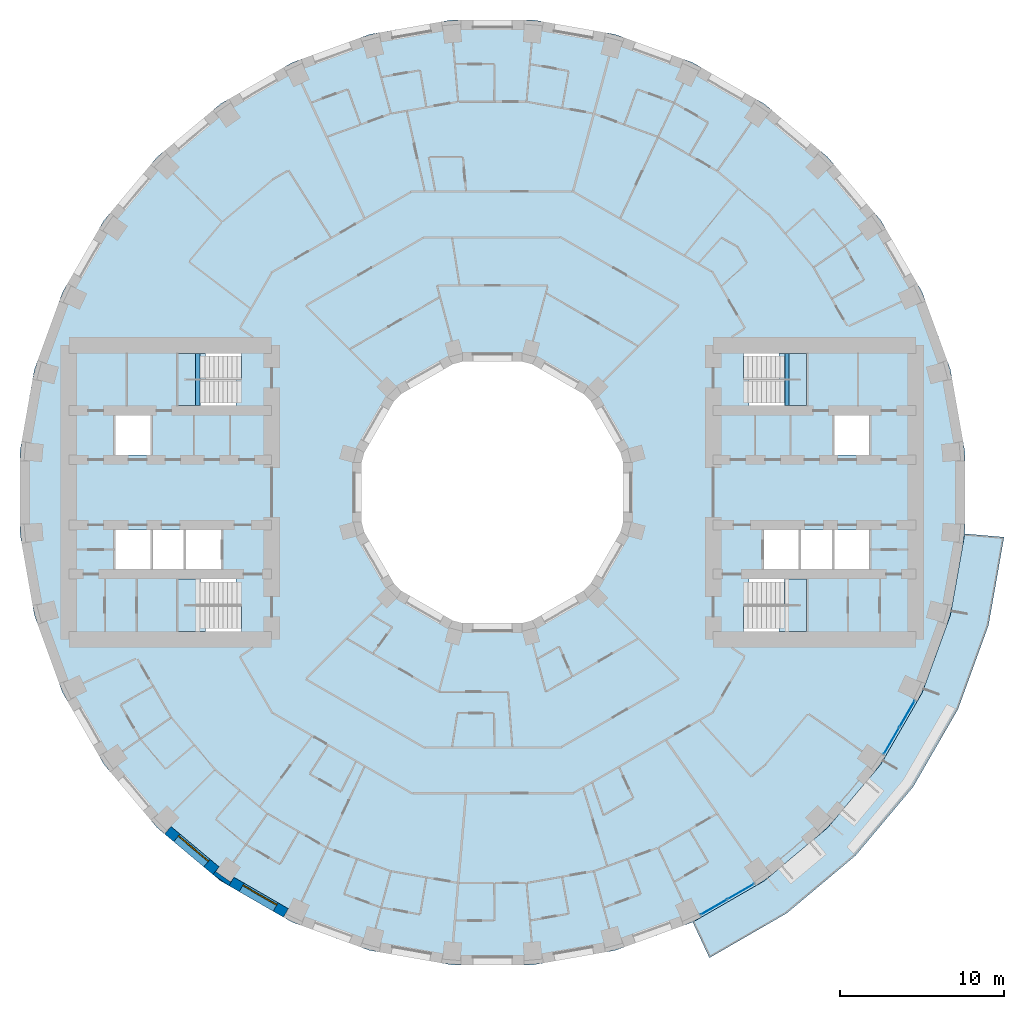
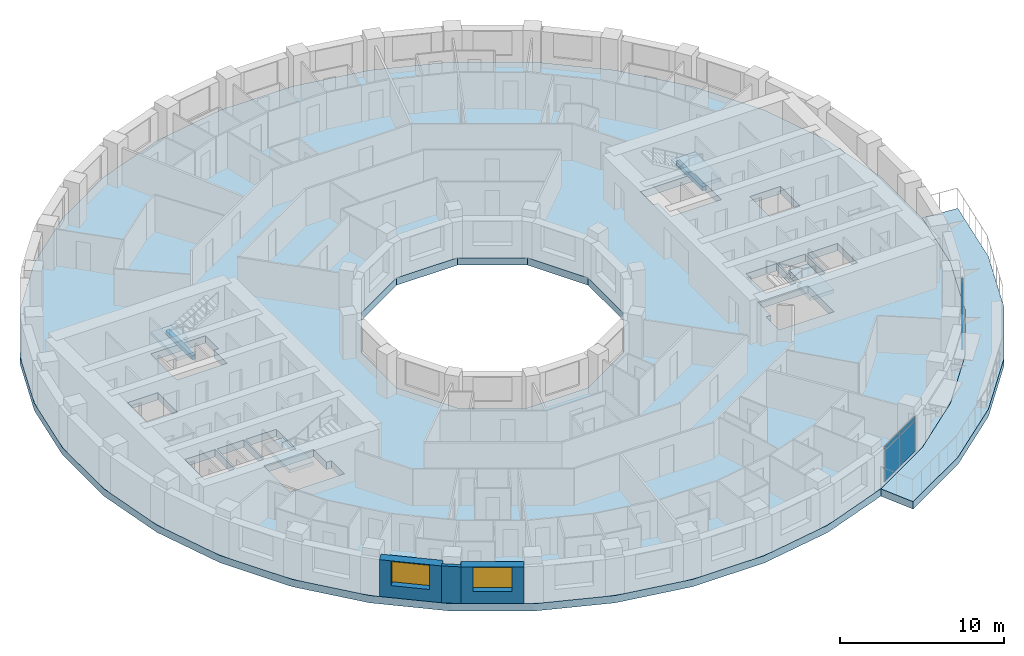
# One storey, part 3 of 15: 8 plates, 6 slabs, 3 walls, 2 beams, 2 windows, 2 openings, 6 elements without a shape of their own.
"""IFC4 building model written with IfcOpenShell, lengths in metres."""

import ifcopenshell
import ifcopenshell.guid

model = None  # the IFC model being written
_history = None  # IfcOwnerHistory: only IFC2X3 demands one
_inside = {}  # id of a spatial element -> (the spatial element, [elements in it])
_under = {}  # id of a project, library or spatial element -> (it, [spatial elements below it])
_declared = {}  # id of a project -> (the project, [libraries it declares])
_typed = {}  # id of a type object -> (the type object, [elements of that type])
_made_of = {}  # id of a material, layer set ... -> (it, [elements and type objects made of it])


def new_model(schema):
    """Start an empty IFC model of exactly this schema.

    Asked for "IFC4X3", IfcOpenShell would pick the latest addendum, in which some entities
    have other attributes; the version numbers below select the first issue.
    IFC2X3 requires an IfcOwnerHistory on every rooted entity: one is made here for all.
    """
    global model, _history
    if schema == "IFC4X3":
        model = ifcopenshell.file(schema_version=(4, 3, 0, 0))
    else:
        model = ifcopenshell.file(schema=schema)
    _inside.clear()
    _under.clear()
    _declared.clear()
    _typed.clear()
    _made_of.clear()
    _history = None
    if model.schema == "IFC2X3":
        org = make("IfcOrganization", Name="unknown")
        user = make(
            "IfcPersonAndOrganization",
            ThePerson=make("IfcPerson", FamilyName="unknown"),
            TheOrganization=org,
        )
        app = make(
            "IfcApplication",
            ApplicationDeveloper=org,
            Version="unknown",
            ApplicationFullName="unknown",
            ApplicationIdentifier="unknown",
        )
        _history = make(
            "IfcOwnerHistory",
            OwningUser=user,
            OwningApplication=app,
            ChangeAction="ADDED",
            CreationDate=0,
        )
    return model


def make(cls, **values):
    """One entity of the class cls with the attributes given. An attribute that is None is left unset."""
    return model.create_entity(
        cls, **{name: value for name, value in values.items() if value is not None}
    )


def rooted(cls, **values):
    """An entity with a GlobalId (a new one), such as an element, a storey or a relation."""
    return make(cls, GlobalId=ifcopenshell.guid.new(), OwnerHistory=_history, **values)


def si_unit(unit_type, name, prefix=None):
    """IfcSIUnit, for example si_unit("LENGTHUNIT", "METRE", prefix="MILLI")."""
    return make("IfcSIUnit", UnitType=unit_type, Prefix=prefix, Name=name)


def assignment(units):
    """IfcUnitAssignment: the units of a project."""
    return None if units is None else make("IfcUnitAssignment", Units=units)


def point(xyz):
    """IfcCartesianPoint."""
    return None if xyz is None else make("IfcCartesianPoint", Coordinates=xyz)


def direction(xyz):
    """IfcDirection."""
    return None if xyz is None else make("IfcDirection", DirectionRatios=xyz)


def frame(location, z_axis=None, x_axis=None):
    """IfcAxis2Placement3D, a coordinate frame: its origin and axes. An axis left out is left unset."""
    return make(
        "IfcAxis2Placement3D",
        Location=point(location),
        Axis=direction(z_axis),
        RefDirection=direction(x_axis),
    )


def frame_2d(location, x_axis=None):
    """IfcAxis2Placement2D, a coordinate frame in the plane: its origin and x axis."""
    return make(
        "IfcAxis2Placement2D", Location=point(location), RefDirection=direction(x_axis)
    )


def origin():
    """The frame at (0, 0, 0) with its axes left unset."""
    return frame((0.0, 0.0, 0.0))


def origin_2d():
    """The frame at (0, 0) in the plane with its x axis left unset."""
    return frame_2d((0.0, 0.0))


def place(relative_to, where):
    """IfcLocalPlacement: puts the frame where relative to a parent placement (None: the world)."""
    return make(
        "IfcLocalPlacement", PlacementRelTo=relative_to, RelativePlacement=where
    )


def context(
    kind, dimensions, precision=None, world=None, true_north=None, identifier=None
):
    """IfcGeometricRepresentationContext, for example the 3D "Model" context."""
    return make(
        "IfcGeometricRepresentationContext",
        ContextIdentifier=identifier,
        ContextType=kind,
        CoordinateSpaceDimension=dimensions,
        Precision=precision,
        WorldCoordinateSystem=world,
        TrueNorth=true_north,
    )


def subcontext(parent, identifier, kind, view, scale=None):
    """IfcGeometricRepresentationSubContext, for example "Body" below "Model"."""
    return make(
        "IfcGeometricRepresentationSubContext",
        ContextIdentifier=identifier,
        ContextType=kind,
        ParentContext=parent,
        TargetScale=scale,
        TargetView=view,
    )


def project(units=None, contexts=None):
    """IfcProject with its units and contexts."""
    return rooted(
        "IfcProject",
        Name="project",
        RepresentationContexts=contexts,
        UnitsInContext=assignment(units),
    )


def spatial(cls, under=None, at=None, **own):
    """A site, building, storey or space (cls), placed at a placement, below another one or the project."""
    s = rooted(cls, ObjectPlacement=at, **own)
    if under is not None:
        _under.setdefault(under.id(), (under, []))[1].append(s)
    return s


def polyline(points):
    """IfcPolyline through the points."""
    return make("IfcPolyline", Points=[point(p) for p in points])


def profile(cls, at=None, kind="AREA", **sizes):
    """A parametric profile (cls). Its sizes go by their IFC names, for example OverallWidth=200.0."""
    return make(cls, ProfileType=kind, Position=at, **sizes)


def rectangle(**sizes):
    """IfcRectangleProfileDef."""
    return profile("IfcRectangleProfileDef", **sizes)


def outline(outer, holes=None, kind="AREA"):
    """IfcArbitraryClosedProfileDef: a profile drawn as a closed curve; with holes, ...WithVoids."""
    if holes is None:
        return make("IfcArbitraryClosedProfileDef", ProfileType=kind, OuterCurve=outer)
    return make(
        "IfcArbitraryProfileDefWithVoids",
        ProfileType=kind,
        OuterCurve=outer,
        InnerCurves=holes,
    )


def extrude(swept, where, along, depth):
    """IfcExtrudedAreaSolid: the profile swept, set in the frame where, extruded along a direction by depth."""
    return make(
        "IfcExtrudedAreaSolid",
        SweptArea=swept,
        Position=where,
        ExtrudedDirection=direction(along),
        Depth=depth,
    )


def shape(context_of_items, identifier, shape_type, items):
    """IfcShapeRepresentation: the items that make up one representation, for example the "Body"."""
    return make(
        "IfcShapeRepresentation",
        ContextOfItems=context_of_items,
        RepresentationIdentifier=identifier,
        RepresentationType=shape_type,
        Items=items,
    )


def material(Name=None, Category=None):
    """IfcMaterial."""
    return make("IfcMaterial", Name=Name, Category=Category)


def layer(
    of_material, thickness, ventilated=None, Name=None, Category=None, Priority=None
):
    """IfcMaterialLayer: one layer of a wall or slab, of a material (None: an air gap)."""
    return make(
        "IfcMaterialLayer",
        Material=of_material,
        LayerThickness=thickness,
        IsVentilated=ventilated,
        Name=Name,
        Category=Category,
        Priority=Priority,
    )


def layer_set(layers, Name=None):
    """IfcMaterialLayerSet."""
    return make("IfcMaterialLayerSet", MaterialLayers=layers, LayerSetName=Name)


def material_profile(
    of_material, cross_section, Name=None, Category=None, Priority=None
):
    """IfcMaterialProfile: a cross section and its material."""
    return make(
        "IfcMaterialProfile",
        Name=Name,
        Material=of_material,
        Profile=cross_section,
        Priority=Priority,
        Category=Category,
    )


def profile_set(profiles, Name=None, composite=None):
    """IfcMaterialProfileSet."""
    return make(
        "IfcMaterialProfileSet",
        Name=Name,
        MaterialProfiles=profiles,
        CompositeProfile=composite,
    )


def made_of(thing, what):
    """Note that an element or type object is made of a material, layer set ...; save() writes the relation."""
    if what is not None:
        _made_of.setdefault(what.id(), (what, []))[1].append(thing)
    return thing


def type_object(cls, material=None, **own):
    """A type object (cls), such as IfcWallType, which elements share."""
    return made_of(rooted(cls, **own), material)


def element(
    cls,
    number,
    at=None,
    inside=None,
    cuts=None,
    type_object=None,
    material=None,
    context=None,
    identifier="Body",
    shape_type=None,
    held_by="IfcProductDefinitionShape",
    body=None,
    shapes=None,
    **own,
):
    """One element of the class cls, such as IfcWall. Its Tag is "e" and its number.

    at: its placement. inside: the storey or other place that contains it. cuts: it is an
    opening in that element (IfcRelVoidsElement). A single representation is given by context,
    identifier, shape_type and body (its items); several are given by shapes. held_by: the class
    of the entity that holds the representations. save() writes the other relations.
    """
    e = rooted(cls, Tag="e%d" % number, ObjectPlacement=at, **own)
    if body is not None:
        shapes = [shape(context, identifier, shape_type, body)]
    if shapes is not None:
        e.Representation = make(held_by, Representations=shapes)
    if inside is not None:
        _inside.setdefault(inside.id(), (inside, []))[1].append(e)
    if cuts is not None:
        rooted(
            "IfcRelVoidsElement", RelatingBuildingElement=cuts, RelatedOpeningElement=e
        )
    if type_object is not None:
        _typed.setdefault(type_object.id(), (type_object, []))[1].append(e)
    return made_of(e, material)


def fill(opening, filler):
    """IfcRelFillsElement: the door or window that sits in an opening."""
    return rooted(
        "IfcRelFillsElement",
        RelatingOpeningElement=opening,
        RelatedBuildingElement=filler,
    )


def aggregate(whole, parts):
    """IfcRelAggregates: a whole, such as a stair, and the parts it consists of."""
    return rooted("IfcRelAggregates", RelatingObject=whole, RelatedObjects=parts)


def save(model, path):
    """Write the relations noted so far, then the file.

    IfcRelAggregates (storeys below a building ...), IfcRelContainedInSpatialStructure (elements
    in a storey), IfcRelDefinesByType, IfcRelAssociatesMaterial and IfcRelDeclares: one each for
    every whole, place, type object, material and project.
    """
    for whole, parts in _under.values():
        aggregate(whole, parts)
    for where, things in _inside.values():
        rooted(
            "IfcRelContainedInSpatialStructure",
            RelatedElements=things,
            RelatingStructure=where,
        )
    for kind, things in _typed.values():
        rooted("IfcRelDefinesByType", RelatedObjects=things, RelatingType=kind)
    for what, things in _made_of.values():
        rooted("IfcRelAssociatesMaterial", RelatedObjects=things, RelatingMaterial=what)
    for by, libraries in _declared.values():
        rooted("IfcRelDeclares", RelatingContext=by, RelatedDefinitions=libraries)
    model.write(path)


model = new_model("IFC4")

# Units and contexts
model_context = context("Model", 3, precision=1e-05, world=origin(), true_north=direction((0.0, 1.0)))
body_context = subcontext(model_context, "Body", "Model", "MODEL_VIEW")
ifc_project = project(units=[si_unit("LENGTHUNIT", "METRE"), si_unit("AREAUNIT", "SQUARE_METRE"), si_unit("VOLUMEUNIT", "CUBIC_METRE"), si_unit("PLANEANGLEUNIT", "RADIAN"), si_unit("MASSUNIT", "GRAM", prefix="KILO")], contexts=[model_context])

# Site, building, storey
site_placement = place(None, origin())
site = spatial("IfcSite", under=ifc_project, at=site_placement, CompositionType="ELEMENT")
building_placement = place(site_placement, origin())
building = spatial("IfcBuilding", under=site, at=building_placement, Name="Saqina Gate Tower", CompositionType="ELEMENT")
storey_placement = place(building_placement, frame((0.0, 0.0, 39.5)))
storey = spatial("IfcBuildingStorey", under=building, at=storey_placement, Name="L10", CompositionType="ELEMENT", Elevation=39.5)

# Beams
ifc_material_1 = material(Name="Concrete C40/50", Category="concrete")
ifc_material_profile = material_profile(ifc_material_1, rectangle(XDim=0.25, YDim=0.300048828125, at=origin_2d()), Name="STAIR LANDING BEAM")
ifc_profile_set = profile_set([ifc_material_profile], Name="Concrete C40/50")
beam_type = type_object("IfcBeamType", Name="STAIR LANDING BEAM", PredefinedType="BEAM", material=ifc_profile_set)
for number, where, z_axis, x_axis, name in (
    (1, (18.02001953125, 5.300048828125, 1.25), (0.0, 1.0, 0.0), (-1.0, 0.0, 0.0), "EXIT STAIR 1 LANDING BEAM"),
    (2, (-18.02001953125, 5.300048828125, 1.25), (0.0, 1.0, 0.0), (-1.0, 0.0, 0.0), "EXIT STAIR 3 LANDING BEAM"),
):
    element("IfcBeam", number, at=place(storey_placement, frame(where, z_axis=z_axis, x_axis=x_axis)), inside=storey, type_object=beam_type, Name=name, PredefinedType="BEAM", context=body_context, shape_type="SweptSolid", body=[
        extrude(rectangle(XDim=0.25, YDim=0.300048828125, at=origin_2d()), origin(), (0.0, 0.0, 1.0), 3.199951171875),
    ])

# Curtain wall, plates
ifc_material_2 = material(Name="Aluminium glazing", Category="aluminium")
ifc_layer_1 = layer(ifc_material_2, 0.159912109375)
ifc_layer_set_1 = layer_set([ifc_layer_1], Name="CWT-4")
curtain_wall_type = type_object("IfcCurtainWallType", Name="CWT-4", PredefinedType="NOTDEFINED", material=ifc_layer_set_1)
curtain_wall_1_placement = place(storey_placement, origin())
curtain_wall_1 = element("IfcCurtainWall", 3, at=curtain_wall_1_placement, inside=storey, type_object=curtain_wall_type, Name="Terrace lounge glazing facet 30", PredefinedType="NOTDEFINED")
ifc_material_3 = material(Name="Glass", Category="glass")
ifc_layer_2 = layer(ifc_material_3, 0.028076171875)
ifc_layer_set_2 = layer_set([ifc_layer_2], Name="CWT-4P")
plate_type = type_object("IfcPlateType", Name="CWT-4P", PredefinedType="CURTAIN_PANEL", material=ifc_layer_set_2)
plate_1_placement = place(storey_placement, frame((13.550048828125, -25.362548828125, 0.06005859375), z_axis=(0.0, 0.0, 1.0), x_axis=(0.866027971624, 0.499995552346, 0.0)))
plate_1 = element("IfcPlate", 4, at=plate_1_placement, type_object=plate_type, Name="CW4-30 panel 1.1", PredefinedType="CURTAIN_PANEL", context=body_context, shape_type="SweptSolid", body=[
    extrude(rectangle(XDim=1.8330078125, YDim=0.028076171875, at=origin_2d()), origin(), (0.0, 0.0, 1.0), 2.31005859375),
])
plate_2_placement = place(storey_placement, frame((13.550048828125, -25.362548828125, 2.43017578125), z_axis=(0.0, 0.0, 1.0), x_axis=(0.866027971624, 0.499995552346, 0.0)))
plate_2 = element("IfcPlate", 5, at=plate_2_placement, type_object=plate_type, Name="CW4-30 panel 1.2", PredefinedType="CURTAIN_PANEL", context=body_context, shape_type="SweptSolid", body=[
    extrude(rectangle(XDim=1.8330078125, YDim=0.028076171875, at=origin_2d()), origin(), (0.0, 0.0, 1.0), 0.260009765625),
])
plate_3_placement = place(storey_placement, frame((15.189453125, -24.416015625, 0.06005859375), z_axis=(0.0, 0.0, 1.0), x_axis=(0.866027971624, 0.499995552346, 0.0)))
plate_3 = element("IfcPlate", 6, at=plate_3_placement, type_object=plate_type, Name="CW4-30 panel 2.1", PredefinedType="CURTAIN_PANEL", context=body_context, shape_type="SweptSolid", body=[
    extrude(rectangle(XDim=1.8330078125, YDim=0.028076171875, at=origin_2d()), origin(), (0.0, 0.0, 1.0), 2.31005859375),
])
plate_4_placement = place(storey_placement, frame((15.189453125, -24.416015625, 2.43017578125), z_axis=(0.0, 0.0, 1.0), x_axis=(0.866027971624, 0.499995552346, 0.0)))
plate_4 = element("IfcPlate", 7, at=plate_4_placement, type_object=plate_type, Name="CW4-30 panel 2.2", PredefinedType="CURTAIN_PANEL", context=body_context, shape_type="SweptSolid", body=[
    extrude(rectangle(XDim=1.8330078125, YDim=0.028076171875, at=origin_2d()), origin(), (0.0, 0.0, 1.0), 0.260009765625),
])
aggregate(curtain_wall_1, [plate_1, plate_2, plate_3, plate_4])

curtain_wall_2_placement = place(storey_placement, origin())
curtain_wall_2 = element("IfcCurtainWall", 8, at=curtain_wall_2_placement, inside=storey, type_object=curtain_wall_type, Name="Terrace lounge glazing facet 33", PredefinedType="NOTDEFINED")
plate_5_placement = place(storey_placement, frame((24.416015625, -15.189453125, 0.06005859375), z_axis=(0.0, 0.0, 1.0), x_axis=(0.499995552346, 0.866027971624, 0.0)))
plate_5 = element("IfcPlate", 9, at=plate_5_placement, type_object=plate_type, Name="CW4-33 panel 1.1", PredefinedType="CURTAIN_PANEL", context=body_context, shape_type="SweptSolid", body=[
    extrude(rectangle(XDim=1.8330078125, YDim=0.028076171875, at=origin_2d()), origin(), (0.0, 0.0, 1.0), 2.31005859375),
])
plate_6_placement = place(storey_placement, frame((24.416015625, -15.189453125, 2.43017578125), z_axis=(0.0, 0.0, 1.0), x_axis=(0.499995552346, 0.866027971624, 0.0)))
plate_6 = element("IfcPlate", 10, at=plate_6_placement, type_object=plate_type, Name="CW4-33 panel 1.2", PredefinedType="CURTAIN_PANEL", context=body_context, shape_type="SweptSolid", body=[
    extrude(rectangle(XDim=1.8330078125, YDim=0.028076171875, at=origin_2d()), origin(), (0.0, 0.0, 1.0), 0.260009765625),
])
plate_7_placement = place(storey_placement, frame((25.362548828125, -13.550048828125, 0.06005859375), z_axis=(0.0, 0.0, 1.0), x_axis=(0.499995552346, 0.866027971624, 0.0)))
plate_7 = element("IfcPlate", 11, at=plate_7_placement, type_object=plate_type, Name="CW4-33 panel 2.1", PredefinedType="CURTAIN_PANEL", context=body_context, shape_type="SweptSolid", body=[
    extrude(rectangle(XDim=1.8330078125, YDim=0.028076171875, at=origin_2d()), origin(), (0.0, 0.0, 1.0), 2.31005859375),
])
plate_8_placement = place(storey_placement, frame((25.362548828125, -13.550048828125, 2.43017578125), z_axis=(0.0, 0.0, 1.0), x_axis=(0.499995552346, 0.866027971624, 0.0)))
plate_8 = element("IfcPlate", 12, at=plate_8_placement, type_object=plate_type, Name="CW4-33 panel 2.2", PredefinedType="CURTAIN_PANEL", context=body_context, shape_type="SweptSolid", body=[
    extrude(rectangle(XDim=1.8330078125, YDim=0.028076171875, at=origin_2d()), origin(), (0.0, 0.0, 1.0), 0.260009765625),
])
aggregate(curtain_wall_2, [plate_5, plate_6, plate_7, plate_8])

# Stair, slab
ifc_material_4 = material(Name="Concrete C40/50", Category="concrete")
stair_type = type_object("IfcStairType", Name="EXIT STAIR", PredefinedType="HALF_TURN_STAIR", material=ifc_material_4)
stair_1_placement = place(storey_placement, origin())
stair_1 = element("IfcStair", 13, at=stair_1_placement, inside=storey, type_object=stair_type, Name="EXIT STAIR 1", PredefinedType="HALF_TURN_STAIR")
ifc_material_5 = material(Name="Concrete C40/50", Category="concrete")
ifc_layer_3 = layer(ifc_material_5, 0.25)
ifc_layer_set_3 = layer_set([ifc_layer_3], Name="Concrete C40/50")
slab_type_1 = type_object("IfcSlabType", Name="EXIT STAIR LANDING", PredefinedType="LANDING", material=ifc_layer_set_3)
slab_1_placement = place(storey_placement, frame((0.0, 0.0, 1.39990234375)))
slab_1 = element("IfcSlab", 14, at=slab_1_placement, type_object=slab_type_1, Name="EXIT STAIR 1 LANDING 1", PredefinedType="LANDING", context=body_context, shape_type="SweptSolid", body=[
    extrude(outline(polyline([(19.219970703125, 8.5), (19.219970703125, 5.300048828125), (17.864990234375, 5.300048828125), (17.864990234375, 6.89990234375), (17.534423828125, 6.89990234375), (17.534423828125, 8.5), (17.864990234375, 8.5), (17.8701171875, 8.5), (19.219970703125, 8.5)])), origin(), (0.0, 0.0, 1.0), 0.25),
])
aggregate(stair_1, [slab_1])

stair_2_placement = place(storey_placement, origin())
stair_2 = element("IfcStair", 15, at=stair_2_placement, inside=storey, type_object=stair_type, Name="EXIT STAIR 2", PredefinedType="HALF_TURN_STAIR")
slab_2_placement = place(storey_placement, frame((0.0, 0.0, 1.39990234375)))
slab_2 = element("IfcSlab", 16, at=slab_2_placement, type_object=slab_type_1, Name="EXIT STAIR 2 LANDING 1", PredefinedType="LANDING", context=body_context, shape_type="SweptSolid", body=[
    extrude(outline(polyline([(17.534423828125, -8.5), (17.534423828125, -6.89990234375), (17.864990234375, -6.89990234375), (17.864990234375, -5.300048828125), (19.219970703125, -5.300048828125), (19.219970703125, -8.5), (17.8701171875, -8.5), (17.864990234375, -8.5), (17.534423828125, -8.5)])), origin(), (0.0, 0.0, 1.0), 0.25),
])
aggregate(stair_2, [slab_2])

stair_3_placement = place(storey_placement, origin())
stair_3 = element("IfcStair", 17, at=stair_3_placement, inside=storey, type_object=stair_type, Name="EXIT STAIR 3", PredefinedType="HALF_TURN_STAIR")
slab_3_placement = place(storey_placement, frame((0.0, 0.0, 1.39990234375)))
slab_3 = element("IfcSlab", 18, at=slab_3_placement, type_object=slab_type_1, Name="EXIT STAIR 3 LANDING 1", PredefinedType="LANDING", context=body_context, shape_type="SweptSolid", body=[
    extrude(outline(polyline([(-17.864990234375, 5.300048828125), (-19.219970703125, 5.300048828125), (-19.219970703125, 8.5), (-17.8701171875, 8.5), (-17.864990234375, 8.5), (-17.534423828125, 8.5), (-17.534423828125, 6.89990234375), (-17.864990234375, 6.89990234375), (-17.864990234375, 5.300048828125)])), origin(), (0.0, 0.0, 1.0), 0.25),
])
aggregate(stair_3, [slab_3])

stair_4_placement = place(storey_placement, origin())
stair_4 = element("IfcStair", 19, at=stair_4_placement, inside=storey, type_object=stair_type, Name="EXIT STAIR 4", PredefinedType="HALF_TURN_STAIR")
slab_4_placement = place(storey_placement, frame((0.0, 0.0, 1.39990234375)))
slab_4 = element("IfcSlab", 20, at=slab_4_placement, type_object=slab_type_1, Name="EXIT STAIR 4 LANDING 1", PredefinedType="LANDING", context=body_context, shape_type="SweptSolid", body=[
    extrude(outline(polyline([(-17.534423828125, -6.89990234375), (-17.534423828125, -8.5), (-17.864990234375, -8.5), (-17.8701171875, -8.5), (-19.219970703125, -8.5), (-19.219970703125, -5.300048828125), (-17.864990234375, -5.300048828125), (-17.864990234375, -6.89990234375), (-17.534423828125, -6.89990234375)])), origin(), (0.0, 0.0, 1.0), 0.25),
])
aggregate(stair_4, [slab_4])

# Slabs
ifc_material_6 = material(Name="Concrete C40/50", Category="concrete")
ifc_layer_4 = layer(ifc_material_6, 0.550048828125)
ifc_layer_set_4 = layer_set([ifc_layer_4], Name="Concrete C40/50")
slab_type_2 = type_object("IfcSlabType", Name="STR-POST-TENSIONED FLAT PLATE FLOOR-550", PredefinedType="FLOOR", material=ifc_layer_set_4)
slab_5_placement = place(storey_placement, frame((0.0, 0.0, -0.550048828125)))
element("IfcSlab", 21, at=slab_5_placement, inside=storey, type_object=slab_type_2, Name="L10-SLB01", PredefinedType="FLOOR", context=body_context, shape_type="SweptSolid", body=[
    extrude(outline(polyline([(28.011962890625, -7.505859375), (28.8896484375, -2.527587890625), (28.8896484375, 2.527587890625), (28.011962890625, 7.505859375), (26.282958984375, 12.255859375), (23.75537109375, 16.6337890625), (20.506103515625, 20.506103515625), (16.6337890625, 23.75537109375), (12.255859375, 26.282958984375), (7.505859375, 28.011962890625), (2.527587890625, 28.8896484375), (-2.527587890625, 28.8896484375), (-7.505859375, 28.011962890625), (-12.255859375, 26.282958984375), (-16.6337890625, 23.75537109375), (-20.506103515625, 20.506103515625), (-23.75537109375, 16.6337890625), (-26.282958984375, 12.255859375), (-28.011962890625, 7.505859375), (-28.8896484375, 2.527587890625), (-28.8896484375, -2.527587890625), (-28.011962890625, -7.505859375), (-26.282958984375, -12.255859375), (-23.75537109375, -16.6337890625), (-20.506103515625, -20.506103515625), (-16.6337890625, -23.75537109375), (-12.255859375, -26.282958984375), (-7.505859375, -28.011962890625), (-2.527587890625, -28.8896484375), (2.527587890625, -28.8896484375), (7.505859375, -28.011962890625), (12.255859375, -26.282958984375), (16.6337890625, -23.75537109375), (20.506103515625, -20.506103515625), (23.75537109375, -16.6337890625), (26.282958984375, -12.255859375), (28.011962890625, -7.505859375)]), holes=[polyline([(2.1435546875, 8.0), (5.8564453125, 5.8564453125), (8.0, 2.1435546875), (8.0, -2.1435546875), (5.8564453125, -5.8564453125), (2.1435546875, -8.0), (-2.1435546875, -8.0), (-5.8564453125, -5.8564453125), (-8.0, -2.1435546875), (-8.0, 2.1435546875), (-5.8564453125, 5.8564453125), (-2.1435546875, 8.0), (2.1435546875, 8.0)]), polyline([(-19.219970703125, -8.5), (-19.219970703125, -6.89990234375), (-19.219970703125, -5.300048828125), (-15.685546875, -5.300048828125), (-15.685546875, -6.89990234375), (-15.35498046875, -6.89990234375), (-15.35498046875, -8.5), (-19.219970703125, -8.5)]), polyline([(-20.89990234375, -2.300048828125), (-20.89990234375, -4.699951171875), (-23.06005859375, -4.699951171875), (-23.06005859375, -2.300048828125), (-20.89990234375, -2.300048828125)]), polyline([(-18.8701171875, -2.300048828125), (-18.8701171875, -4.699951171875), (-20.780029296875, -4.699951171875), (-20.780029296875, -2.300048828125), (-18.8701171875, -2.300048828125)]), polyline([(-16.590087890625, -2.300048828125), (-16.590087890625, -4.699951171875), (-18.75, -4.699951171875), (-18.75, -2.300048828125), (-16.590087890625, -2.300048828125)]), polyline([(-20.89990234375, 4.699951171875), (-20.89990234375, 2.300048828125), (-23.06005859375, 2.300048828125), (-23.06005859375, 4.699951171875), (-20.89990234375, 4.699951171875)]), polyline([(-19.219970703125, 6.89990234375), (-19.219970703125, 8.5), (-15.35498046875, 8.5), (-15.35498046875, 6.89990234375), (-15.685546875, 6.89990234375), (-15.685546875, 5.300048828125), (-19.219970703125, 5.300048828125), (-19.219970703125, 6.89990234375)]), polyline([(15.35498046875, -6.89990234375), (15.685546875, -6.89990234375), (15.685546875, -5.300048828125), (19.219970703125, -5.300048828125), (19.219970703125, -6.89990234375), (19.219970703125, -8.5), (15.35498046875, -8.5), (15.35498046875, -6.89990234375)]), polyline([(18.75, -2.300048828125), (18.75, -4.699951171875), (16.590087890625, -4.699951171875), (16.590087890625, -2.300048828125), (18.75, -2.300048828125)]), polyline([(20.780029296875, -2.300048828125), (20.780029296875, -4.699951171875), (18.8701171875, -4.699951171875), (18.8701171875, -2.300048828125), (20.780029296875, -2.300048828125)]), polyline([(23.06005859375, -2.300048828125), (23.06005859375, -4.699951171875), (20.89990234375, -4.699951171875), (20.89990234375, -2.300048828125), (23.06005859375, -2.300048828125)]), polyline([(23.06005859375, 4.699951171875), (23.06005859375, 2.300048828125), (20.89990234375, 2.300048828125), (20.89990234375, 4.699951171875), (23.06005859375, 4.699951171875)]), polyline([(15.685546875, 6.89990234375), (15.35498046875, 6.89990234375), (15.35498046875, 8.5), (19.219970703125, 8.5), (19.219970703125, 6.89990234375), (19.219970703125, 5.300048828125), (15.685546875, 5.300048828125), (15.685546875, 6.89990234375)])]), origin(), (0.0, 0.0, 1.0), 0.550048828125),
])
ifc_material_7 = material(Name="Concrete C40/50", Category="concrete")
ifc_layer_5 = layer(ifc_material_7, 0.550048828125)
ifc_layer_set_5 = layer_set([ifc_layer_5], Name="Concrete C40/50")
slab_type_3 = type_object("IfcSlabType", Name="STR-POST-TENSIONED FLAT PLATE TERRACE-550", PredefinedType="FLOOR", material=ifc_layer_set_5)
slab_6_placement = place(storey_placement, frame((0.0, 0.0, -0.550048828125)))
element("IfcSlab", 22, at=slab_6_placement, inside=storey, type_object=slab_type_3, Name="L10-TRS01", PredefinedType="FLOOR", context=body_context, shape_type="SweptSolid", body=[
    extrude(outline(polyline([(12.255859375, -26.282958984375), (16.6337890625, -23.75537109375), (20.506103515625, -20.506103515625), (23.75537109375, -16.6337890625), (26.282958984375, -12.255859375), (28.011962890625, -7.505859375), (28.8896484375, -2.527587890625), (31.28955078125, -2.737548828125), (30.3388671875, -8.12939453125), (28.46630859375, -13.274169921875), (25.72900390625, -18.015625), (22.209716796875, -22.209716796875), (18.015625, -25.72900390625), (13.274169921875, -28.46630859375), (12.255859375, -26.282958984375)])), origin(), (0.0, 0.0, 1.0), 0.550048828125),
])

# Wall
ifc_material_8 = material(Name="Brick masonry (red)", Category="masonry")
wall_type_1 = type_object("IfcWallType", Name="BRICK PIER COPING RED", PredefinedType="SOLIDWALL", material=ifc_material_8)
wall_1_placement = place(storey_placement, origin())
element("IfcWall", 23, at=wall_1_placement, inside=storey, type_object=wall_type_1, Name="Pier cap L10 column 24", PredefinedType="SOLIDWALL", context=body_context, shape_type="SweptSolid", body=[
    extrude(outline(polyline([(-17.096923828125, -23.36669921875), (-16.110107421875, -24.0576171875), (-15.81005859375, -23.5380859375), (-16.010986328125, -23.8251953125), (-16.912109375, -23.194091796875), (-16.711181640625, -22.9072265625), (-17.096923828125, -23.36669921875)])), origin(), (0.0, 0.0, 1.0), 2.75),
])

# Wall, opening, window
ifc_material_9 = material(Name="Brick masonry (red)", Category="masonry")
ifc_layer_6 = layer(ifc_material_9, 0.60009765625)
ifc_layer_set_6 = layer_set([ifc_layer_6], Name="FW-BRICK-RED")
wall_type_2 = type_object("IfcWallType", Name="FW-BRICK-RED", PredefinedType="SOLIDWALL", material=ifc_layer_set_6)
wall_2_placement = place(storey_placement, frame((-19.85009765625, -20.664794921875, 0.0), z_axis=(0.0, 0.0, 1.0), x_axis=(0.766026164483, -0.642809392687, 0.0)))
wall_2 = element("IfcWall", 24, at=wall_2_placement, inside=storey, type_object=wall_type_2, Name="Facade wall L10 facet 23", PredefinedType="SOLIDWALL", context=body_context, shape_type="SweptSolid", body=[
    extrude(rectangle(XDim=3.845947265625, YDim=0.60009765625, at=frame_2d((1.9228515625, 0.0))), origin(), (0.0, 0.0, 1.0), 2.75),
])
opening_1_placement = place(wall_2_placement, frame((0.722900390625, 0.0, 0.89990234375)))
opening_1 = element("IfcOpeningElement", 25, at=opening_1_placement, cuts=wall_2, Name="Opening G02-W16", PredefinedType="OPENING", context=body_context, shape_type="SweptSolid", body=[
    extrude(rectangle(XDim=2.39990234375, YDim=1.800048828125, at=frame_2d((1.199951171875, 0.89990234375))), frame((0.0, 0.31201171875, 0.0), z_axis=(0.0, -1.0, 0.0), x_axis=(1.0, 0.0, 0.0)), (0.0, 0.0, 1.0), 0.6240234375),
])
ifc_material_10 = material(Name="Aluminium glazing", Category="aluminium")
window_type = type_object("IfcWindowType", Name="WN-A", PartitioningType="SINGLE_PANEL", PredefinedType="WINDOW", material=ifc_material_10)
window_1_placement = place(opening_1_placement, origin())
window_1 = element("IfcWindow", 26, at=window_1_placement, inside=storey, type_object=window_type, Name="Window L10 facet 23", OverallHeight=1.800048828125, OverallWidth=2.39990234375, PartitioningType="SINGLE_PANEL", PredefinedType="WINDOW", context=body_context, shape_type="SweptSolid", body=[
    extrude(rectangle(XDim=2.39990234375, YDim=1.800048828125, at=frame_2d((1.199951171875, 0.89990234375))), frame((0.0, 0.179931640625, 0.0), z_axis=(0.0, -1.0, 0.0), x_axis=(1.0, 0.0, 0.0)), (0.0, 0.0, 1.0), 0.06005859375),
])
fill(opening_1, window_1)

wall_3_placement = place(storey_placement, frame((-15.960205078125, -23.7978515625, 0.0), z_axis=(0.0, 0.0, 1.0), x_axis=(0.86603124159, -0.499989888488, 0.0)))
wall_3 = element("IfcWall", 27, at=wall_3_placement, inside=storey, type_object=wall_type_2, Name="Facade wall L10 facet 24", PredefinedType="SOLIDWALL", context=body_context, shape_type="SweptSolid", body=[
    extrude(rectangle(XDim=3.845703125, YDim=0.60009765625, at=frame_2d((1.9228515625, 0.0))), origin(), (0.0, 0.0, 1.0), 2.75),
])
opening_2_placement = place(wall_3_placement, frame((0.722900390625, 0.0, 0.89990234375)))
opening_2 = element("IfcOpeningElement", 28, at=opening_2_placement, cuts=wall_3, Name="Opening G02-W17", PredefinedType="OPENING", context=body_context, shape_type="SweptSolid", body=[
    extrude(rectangle(XDim=2.39990234375, YDim=1.800048828125, at=frame_2d((1.199951171875, 0.89990234375))), frame((0.0, 0.31201171875, 0.0), z_axis=(0.0, -1.0, 0.0), x_axis=(1.0, 0.0, 0.0)), (0.0, 0.0, 1.0), 0.6240234375),
])
window_2_placement = place(opening_2_placement, origin())
window_2 = element("IfcWindow", 29, at=window_2_placement, inside=storey, type_object=window_type, Name="Window L10 facet 24", OverallHeight=1.800048828125, OverallWidth=2.39990234375, PartitioningType="SINGLE_PANEL", PredefinedType="WINDOW", context=body_context, shape_type="SweptSolid", body=[
    extrude(rectangle(XDim=2.39990234375, YDim=1.800048828125, at=frame_2d((1.199951171875, 0.89990234375))), frame((0.0, 0.179931640625, 0.0), z_axis=(0.0, -1.0, 0.0), x_axis=(1.0, 0.0, 0.0)), (0.0, 0.0, 1.0), 0.06005859375),
])
fill(opening_2, window_2)

save(model, "model.ifc")
